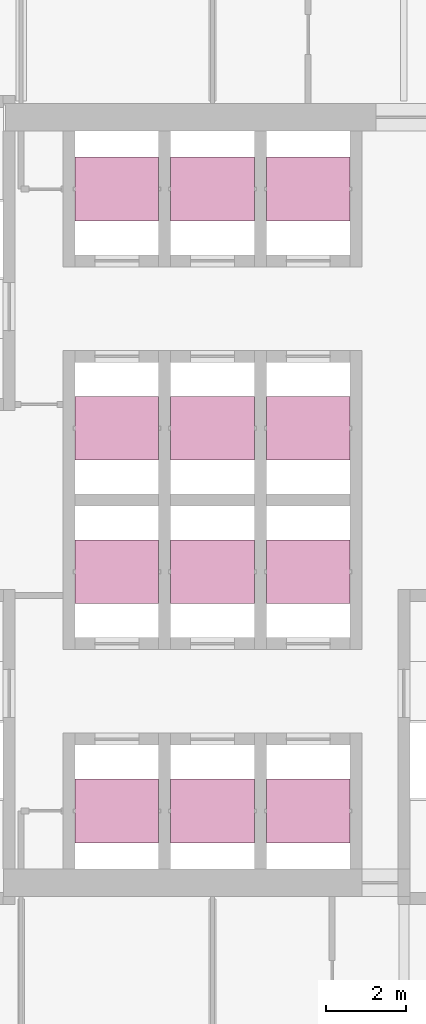
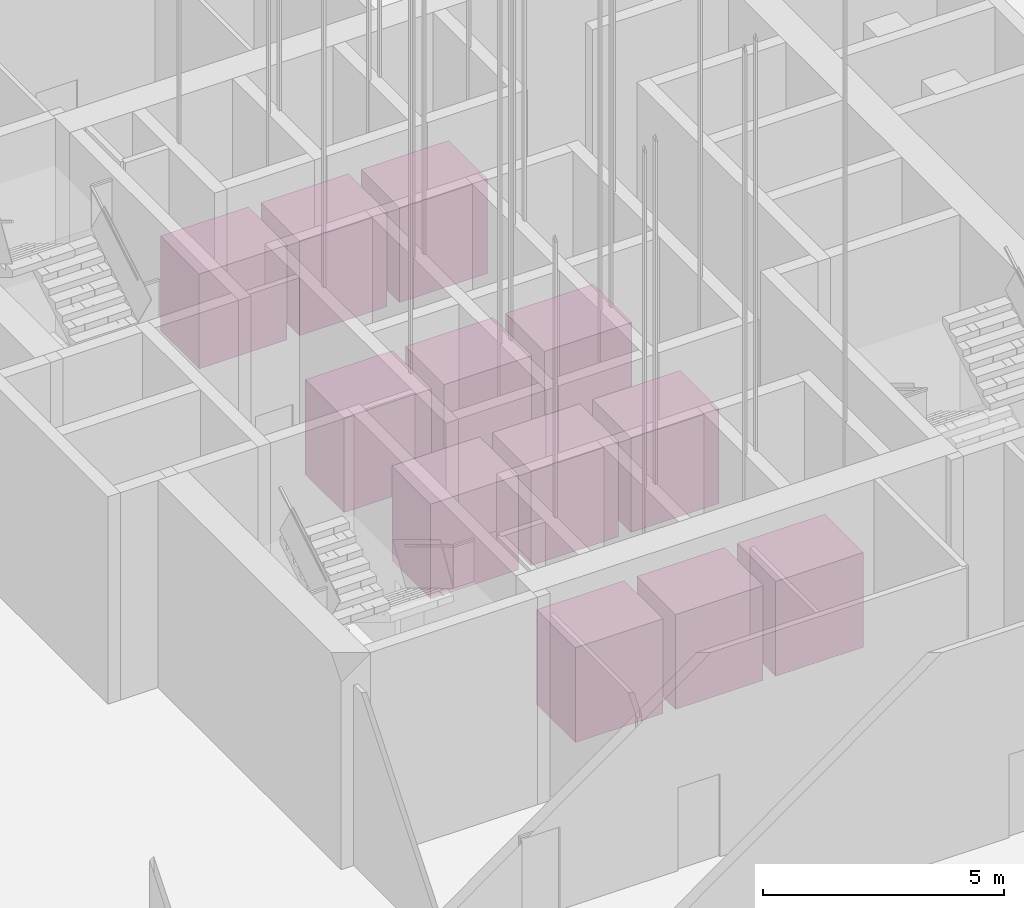
# One storey, part 42 of 42: 12 transport elements.
"""IFC4 building model written with IfcOpenShell, lengths in metres."""

from ifc_helpers import new_model, si_unit, direction, frame, origin, origin_2d, place, context, subcontext, project, spatial, rectangle, extrude, material, type_object, element, save


model = new_model("IFC4")

# Units and contexts
model_context = context("Model", 3, precision=1e-05, world=origin(), true_north=direction((0.0, 1.0)))
body_context = subcontext(model_context, "Body", "Model", "MODEL_VIEW")
ifc_project = project(units=[si_unit("LENGTHUNIT", "METRE"), si_unit("AREAUNIT", "SQUARE_METRE"), si_unit("VOLUMEUNIT", "CUBIC_METRE"), si_unit("PLANEANGLEUNIT", "RADIAN"), si_unit("MASSUNIT", "GRAM", prefix="KILO")], contexts=[model_context])

# Site, building, storey
site_placement = place(None, origin())
site = spatial("IfcSite", under=ifc_project, at=site_placement, CompositionType="ELEMENT")
building_placement = place(site_placement, origin())
building = spatial("IfcBuilding", under=site, at=building_placement, Name="Kolab Exchange Tower", CompositionType="ELEMENT")
storey_placement = place(building_placement, frame((0.0, 0.0, 133.39990234375)))
storey = spatial("IfcBuildingStorey", under=building, at=storey_placement, Name="L26", CompositionType="ELEMENT", Elevation=133.39990234375)

# Transport elements
ifc_material = material(Name="Stainless steel 316", Category="steel")
transport_element_type = type_object("IfcTransportElementType", Name="LIFT HR 1800 KG", PredefinedType="ELEVATOR", material=ifc_material)
for number, where, z_axis, x_axis, name in (
    (1, (-2.39990234375, 7.800048828125, 0.000244140625), (0.0, 0.0, 1.0), (1.0, 0.0, 0.0), "Lift HR1"),
    (2, (0.0, 7.800048828125, 0.000244140625), (0.0, 0.0, 1.0), (1.0, 0.0, 0.0), "Lift HR2"),
    (3, (2.39990234375, 7.800048828125, 0.000244140625), (0.0, 0.0, 1.0), (1.0, 0.0, 0.0), "Lift HR3"),
    (4, (-2.39990234375, 1.800048828125, 0.000244140625), (0.0, 0.0, 1.0), (1.0, 0.0, 0.0), "Lift HR4"),
    (5, (0.0, 1.800048828125, 0.000244140625), (0.0, 0.0, 1.0), (1.0, 0.0, 0.0), "Lift HR5"),
    (6, (2.39990234375, 1.800048828125, 0.000244140625), (0.0, 0.0, 1.0), (1.0, 0.0, 0.0), "Lift HR6"),
    (7, (-2.39990234375, -1.800048828125, 0.000244140625), (0.0, 0.0, 1.0), (1.0, 0.0, 0.0), "Lift HR7"),
    (8, (0.0, -1.800048828125, 0.000244140625), (0.0, 0.0, 1.0), (1.0, 0.0, 0.0), "Lift HR8"),
    (9, (2.39990234375, -1.800048828125, 0.000244140625), (0.0, 0.0, 1.0), (1.0, 0.0, 0.0), "Lift HR9"),
    (10, (-2.39990234375, -7.800048828125, 0.000244140625), (0.0, 0.0, 1.0), (1.0, 0.0, 0.0), "Lift HR10"),
    (11, (0.0, -7.800048828125, 0.000244140625), (0.0, 0.0, 1.0), (1.0, 0.0, 0.0), "Lift HR11"),
    (12, (2.39990234375, -7.800048828125, 0.000244140625), (0.0, 0.0, 1.0), (1.0, 0.0, 0.0), "Lift HR12"),
):
    element("IfcTransportElement", number, at=place(storey_placement, frame(where, z_axis=z_axis, x_axis=x_axis)), inside=storey, type_object=transport_element_type, Name=name, PredefinedType="ELEVATOR", context=body_context, shape_type="SweptSolid", body=[
        extrude(rectangle(XDim=2.10009765625, YDim=1.60009765625, at=origin_2d()), origin(), (0.0, 0.0, 1.0), 2.39990234375),
    ])

save(model, "model.ifc")
